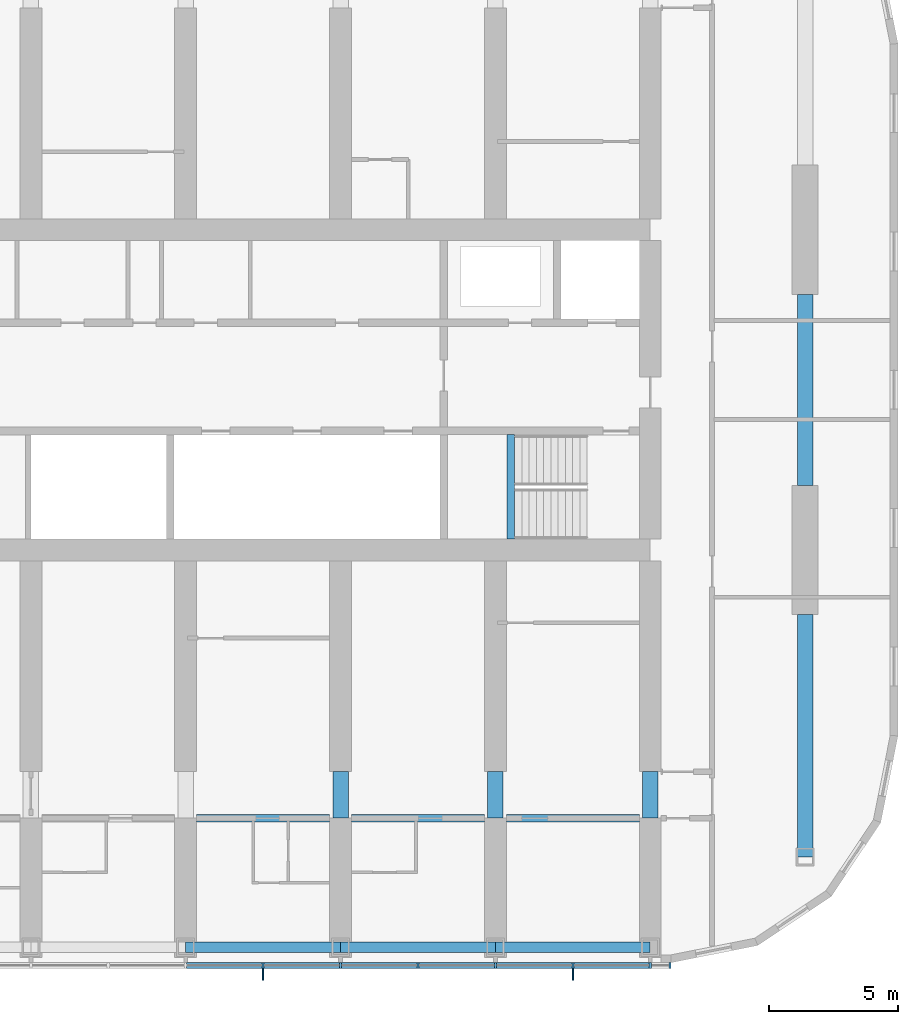
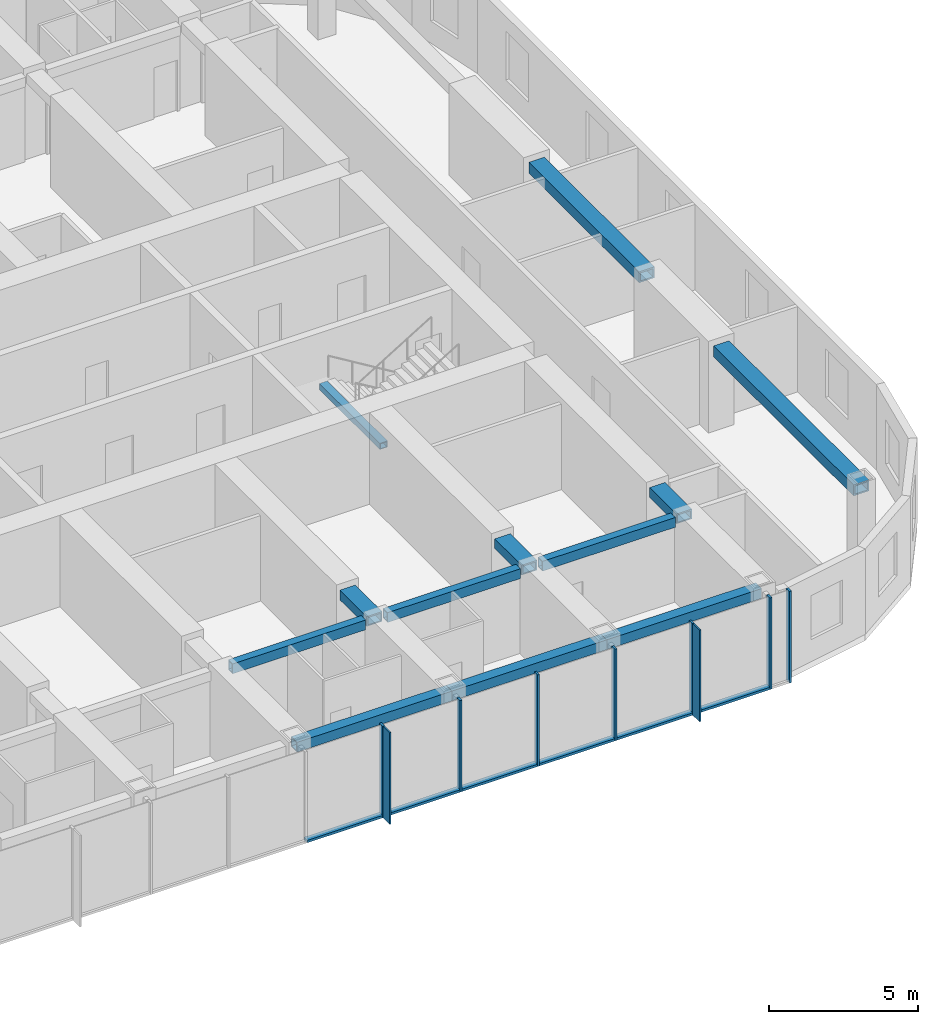
# One storey, part 3 of 22: 15 members, 12 beams, 1 element without a shape of its own.
"""IFC4 building model written with IfcOpenShell, lengths in metres."""

import ifcopenshell
import ifcopenshell.guid

model = None  # the IFC model being written
_history = None  # IfcOwnerHistory: only IFC2X3 demands one
_inside = {}  # id of a spatial element -> (the spatial element, [elements in it])
_under = {}  # id of a project, library or spatial element -> (it, [spatial elements below it])
_declared = {}  # id of a project -> (the project, [libraries it declares])
_typed = {}  # id of a type object -> (the type object, [elements of that type])
_made_of = {}  # id of a material, layer set ... -> (it, [elements and type objects made of it])


def new_model(schema):
    """Start an empty IFC model of exactly this schema.

    Asked for "IFC4X3", IfcOpenShell would pick the latest addendum, in which some entities
    have other attributes; the version numbers below select the first issue.
    IFC2X3 requires an IfcOwnerHistory on every rooted entity: one is made here for all.
    """
    global model, _history
    if schema == "IFC4X3":
        model = ifcopenshell.file(schema_version=(4, 3, 0, 0))
    else:
        model = ifcopenshell.file(schema=schema)
    _inside.clear()
    _under.clear()
    _declared.clear()
    _typed.clear()
    _made_of.clear()
    _history = None
    if model.schema == "IFC2X3":
        org = make("IfcOrganization", Name="unknown")
        user = make(
            "IfcPersonAndOrganization",
            ThePerson=make("IfcPerson", FamilyName="unknown"),
            TheOrganization=org,
        )
        app = make(
            "IfcApplication",
            ApplicationDeveloper=org,
            Version="unknown",
            ApplicationFullName="unknown",
            ApplicationIdentifier="unknown",
        )
        _history = make(
            "IfcOwnerHistory",
            OwningUser=user,
            OwningApplication=app,
            ChangeAction="ADDED",
            CreationDate=0,
        )
    return model


def make(cls, **values):
    """One entity of the class cls with the attributes given. An attribute that is None is left unset."""
    return model.create_entity(
        cls, **{name: value for name, value in values.items() if value is not None}
    )


def rooted(cls, **values):
    """An entity with a GlobalId (a new one), such as an element, a storey or a relation."""
    return make(cls, GlobalId=ifcopenshell.guid.new(), OwnerHistory=_history, **values)


def si_unit(unit_type, name, prefix=None):
    """IfcSIUnit, for example si_unit("LENGTHUNIT", "METRE", prefix="MILLI")."""
    return make("IfcSIUnit", UnitType=unit_type, Prefix=prefix, Name=name)


def assignment(units):
    """IfcUnitAssignment: the units of a project."""
    return None if units is None else make("IfcUnitAssignment", Units=units)


def point(xyz):
    """IfcCartesianPoint."""
    return None if xyz is None else make("IfcCartesianPoint", Coordinates=xyz)


def direction(xyz):
    """IfcDirection."""
    return None if xyz is None else make("IfcDirection", DirectionRatios=xyz)


def frame(location, z_axis=None, x_axis=None):
    """IfcAxis2Placement3D, a coordinate frame: its origin and axes. An axis left out is left unset."""
    return make(
        "IfcAxis2Placement3D",
        Location=point(location),
        Axis=direction(z_axis),
        RefDirection=direction(x_axis),
    )


def frame_2d(location, x_axis=None):
    """IfcAxis2Placement2D, a coordinate frame in the plane: its origin and x axis."""
    return make(
        "IfcAxis2Placement2D", Location=point(location), RefDirection=direction(x_axis)
    )


def origin():
    """The frame at (0, 0, 0) with its axes left unset."""
    return frame((0.0, 0.0, 0.0))


def origin_2d():
    """The frame at (0, 0) in the plane with its x axis left unset."""
    return frame_2d((0.0, 0.0))


def place(relative_to, where):
    """IfcLocalPlacement: puts the frame where relative to a parent placement (None: the world)."""
    return make(
        "IfcLocalPlacement", PlacementRelTo=relative_to, RelativePlacement=where
    )


def context(
    kind, dimensions, precision=None, world=None, true_north=None, identifier=None
):
    """IfcGeometricRepresentationContext, for example the 3D "Model" context."""
    return make(
        "IfcGeometricRepresentationContext",
        ContextIdentifier=identifier,
        ContextType=kind,
        CoordinateSpaceDimension=dimensions,
        Precision=precision,
        WorldCoordinateSystem=world,
        TrueNorth=true_north,
    )


def subcontext(parent, identifier, kind, view, scale=None):
    """IfcGeometricRepresentationSubContext, for example "Body" below "Model"."""
    return make(
        "IfcGeometricRepresentationSubContext",
        ContextIdentifier=identifier,
        ContextType=kind,
        ParentContext=parent,
        TargetScale=scale,
        TargetView=view,
    )


def project(units=None, contexts=None):
    """IfcProject with its units and contexts."""
    return rooted(
        "IfcProject",
        Name="project",
        RepresentationContexts=contexts,
        UnitsInContext=assignment(units),
    )


def spatial(cls, under=None, at=None, **own):
    """A site, building, storey or space (cls), placed at a placement, below another one or the project."""
    s = rooted(cls, ObjectPlacement=at, **own)
    if under is not None:
        _under.setdefault(under.id(), (under, []))[1].append(s)
    return s


def profile(cls, at=None, kind="AREA", **sizes):
    """A parametric profile (cls). Its sizes go by their IFC names, for example OverallWidth=200.0."""
    return make(cls, ProfileType=kind, Position=at, **sizes)


def rectangle(**sizes):
    """IfcRectangleProfileDef."""
    return profile("IfcRectangleProfileDef", **sizes)


def hollow_rectangle(**sizes):
    """IfcRectangleHollowProfileDef."""
    return profile("IfcRectangleHollowProfileDef", **sizes)


def extrude(swept, where, along, depth):
    """IfcExtrudedAreaSolid: the profile swept, set in the frame where, extruded along a direction by depth."""
    return make(
        "IfcExtrudedAreaSolid",
        SweptArea=swept,
        Position=where,
        ExtrudedDirection=direction(along),
        Depth=depth,
    )


def shape(context_of_items, identifier, shape_type, items):
    """IfcShapeRepresentation: the items that make up one representation, for example the "Body"."""
    return make(
        "IfcShapeRepresentation",
        ContextOfItems=context_of_items,
        RepresentationIdentifier=identifier,
        RepresentationType=shape_type,
        Items=items,
    )


def material(Name=None, Category=None):
    """IfcMaterial."""
    return make("IfcMaterial", Name=Name, Category=Category)


def material_profile(
    of_material, cross_section, Name=None, Category=None, Priority=None
):
    """IfcMaterialProfile: a cross section and its material."""
    return make(
        "IfcMaterialProfile",
        Name=Name,
        Material=of_material,
        Profile=cross_section,
        Priority=Priority,
        Category=Category,
    )


def profile_set(profiles, Name=None, composite=None):
    """IfcMaterialProfileSet."""
    return make(
        "IfcMaterialProfileSet",
        Name=Name,
        MaterialProfiles=profiles,
        CompositeProfile=composite,
    )


def made_of(thing, what):
    """Note that an element or type object is made of a material, layer set ...; save() writes the relation."""
    if what is not None:
        _made_of.setdefault(what.id(), (what, []))[1].append(thing)
    return thing


def type_object(cls, material=None, **own):
    """A type object (cls), such as IfcWallType, which elements share."""
    return made_of(rooted(cls, **own), material)


def element(
    cls,
    number,
    at=None,
    inside=None,
    cuts=None,
    type_object=None,
    material=None,
    context=None,
    identifier="Body",
    shape_type=None,
    held_by="IfcProductDefinitionShape",
    body=None,
    shapes=None,
    **own,
):
    """One element of the class cls, such as IfcWall. Its Tag is "e" and its number.

    at: its placement. inside: the storey or other place that contains it. cuts: it is an
    opening in that element (IfcRelVoidsElement). A single representation is given by context,
    identifier, shape_type and body (its items); several are given by shapes. held_by: the class
    of the entity that holds the representations. save() writes the other relations.
    """
    e = rooted(cls, Tag="e%d" % number, ObjectPlacement=at, **own)
    if body is not None:
        shapes = [shape(context, identifier, shape_type, body)]
    if shapes is not None:
        e.Representation = make(held_by, Representations=shapes)
    if inside is not None:
        _inside.setdefault(inside.id(), (inside, []))[1].append(e)
    if cuts is not None:
        rooted(
            "IfcRelVoidsElement", RelatingBuildingElement=cuts, RelatedOpeningElement=e
        )
    if type_object is not None:
        _typed.setdefault(type_object.id(), (type_object, []))[1].append(e)
    return made_of(e, material)


def aggregate(whole, parts):
    """IfcRelAggregates: a whole, such as a stair, and the parts it consists of."""
    return rooted("IfcRelAggregates", RelatingObject=whole, RelatedObjects=parts)


def save(model, path):
    """Write the relations noted so far, then the file.

    IfcRelAggregates (storeys below a building ...), IfcRelContainedInSpatialStructure (elements
    in a storey), IfcRelDefinesByType, IfcRelAssociatesMaterial and IfcRelDeclares: one each for
    every whole, place, type object, material and project.
    """
    for whole, parts in _under.values():
        aggregate(whole, parts)
    for where, things in _inside.values():
        rooted(
            "IfcRelContainedInSpatialStructure",
            RelatedElements=things,
            RelatingStructure=where,
        )
    for kind, things in _typed.values():
        rooted("IfcRelDefinesByType", RelatedObjects=things, RelatingType=kind)
    for what, things in _made_of.values():
        rooted("IfcRelAssociatesMaterial", RelatedObjects=things, RelatingMaterial=what)
    for by, libraries in _declared.values():
        rooted("IfcRelDeclares", RelatingContext=by, RelatedDefinitions=libraries)
    model.write(path)


model = new_model("IFC4")

# Units and contexts
model_context = context("Model", 3, precision=1e-05, world=origin(), true_north=direction((0.0, 1.0)))
body_context = subcontext(model_context, "Body", "Model", "MODEL_VIEW")
ifc_project = project(units=[si_unit("LENGTHUNIT", "METRE"), si_unit("AREAUNIT", "SQUARE_METRE"), si_unit("VOLUMEUNIT", "CUBIC_METRE"), si_unit("PLANEANGLEUNIT", "RADIAN"), si_unit("MASSUNIT", "GRAM", prefix="KILO")], contexts=[model_context])

# Site, building, storey
site_placement = place(None, origin())
site = spatial("IfcSite", under=ifc_project, at=site_placement, CompositionType="ELEMENT")
building_placement = place(site_placement, origin())
building = spatial("IfcBuilding", under=site, at=building_placement, Name="Orbita Commons", CompositionType="ELEMENT")
storey_placement = place(building_placement, frame((0.0, 0.0, 156.10009765625)))
storey = spatial("IfcBuildingStorey", under=building, at=storey_placement, Name="L38", CompositionType="ELEMENT", Elevation=156.10009765625)

# Curtain wall, members
ifc_material_1 = material(Name="Anodised aluminium frame, pale silver", Category="aluminium")
curtain_wall_type = type_object("IfcCurtainWallType", Name="Unitised curtain wall CW-U, full-height vision", PredefinedType="NOTDEFINED", material=ifc_material_1)
curtain_wall_placement = place(storey_placement, origin())
curtain_wall = element("IfcCurtainWall", 1, at=curtain_wall_placement, inside=storey, type_object=curtain_wall_type, Name="Curtain wall south L38", PredefinedType="NOTDEFINED")
ifc_material_2 = material(Name="Anodised aluminium, pale silver", Category="aluminium")
ifc_material_profile_1 = material_profile(ifc_material_2, rectangle(XDim=0.080078125, YDim=0.219970703125, at=origin_2d()), Name="AL 80x220")
ifc_profile_set_1 = profile_set([ifc_material_profile_1], Name="Anodised aluminium, pale silver")
member_type_1 = type_object("IfcMemberType", Name="Curtain wall mullion 80x220", PredefinedType="MULLION", material=ifc_profile_set_1)
member_1_placement = place(storey_placement, frame((51.0, 9.68994140625, -0.25), z_axis=(0.0, 0.0, 1.0), x_axis=(1.0, 0.0, 0.0)))
member_1 = element("IfcMember", 2, at=member_1_placement, type_object=member_type_1, Name="Mullion 13 CW-L38-S", PredefinedType="MULLION", context=body_context, shape_type="SweptSolid", body=[
    extrude(rectangle(XDim=0.080078125, YDim=0.219970703125, at=origin_2d()), origin(), (0.0, 0.0, 1.0), 3.75),
])
member_2_placement = place(storey_placement, frame((54.0, 9.68994140625, -0.25), z_axis=(0.0, 0.0, 1.0), x_axis=(1.0, 0.0, 0.0)))
member_2 = element("IfcMember", 3, at=member_2_placement, type_object=member_type_1, Name="Mullion 14 CW-L38-S", PredefinedType="MULLION", context=body_context, shape_type="SweptSolid", body=[
    extrude(rectangle(XDim=0.080078125, YDim=0.219970703125, at=origin_2d()), origin(), (0.0, 0.0, 1.0), 3.75),
])
member_3_placement = place(storey_placement, frame((57.0, 9.68994140625, -0.25), z_axis=(0.0, 0.0, 1.0), x_axis=(1.0, 0.0, 0.0)))
member_3 = element("IfcMember", 4, at=member_3_placement, type_object=member_type_1, Name="Mullion 15 CW-L38-S", PredefinedType="MULLION", context=body_context, shape_type="SweptSolid", body=[
    extrude(rectangle(XDim=0.080078125, YDim=0.219970703125, at=origin_2d()), origin(), (0.0, 0.0, 1.0), 3.75),
])
member_4_placement = place(storey_placement, frame((60.0, 9.68994140625, -0.25), z_axis=(0.0, 0.0, 1.0), x_axis=(1.0, 0.0, 0.0)))
member_4 = element("IfcMember", 5, at=member_4_placement, type_object=member_type_1, Name="Mullion 16 CW-L38-S", PredefinedType="MULLION", context=body_context, shape_type="SweptSolid", body=[
    extrude(rectangle(XDim=0.080078125, YDim=0.219970703125, at=origin_2d()), origin(), (0.0, 0.0, 1.0), 3.75),
])
member_5_placement = place(storey_placement, frame((63.0, 9.68994140625, -0.25), z_axis=(0.0, 0.0, 1.0), x_axis=(1.0, 0.0, 0.0)))
member_5 = element("IfcMember", 6, at=member_5_placement, type_object=member_type_1, Name="Mullion 17 CW-L38-S", PredefinedType="MULLION", context=body_context, shape_type="SweptSolid", body=[
    extrude(rectangle(XDim=0.080078125, YDim=0.219970703125, at=origin_2d()), origin(), (0.0, 0.0, 1.0), 3.75),
])
member_6_placement = place(storey_placement, frame((66.0, 9.68994140625, -0.25), z_axis=(0.0, 0.0, 1.0), x_axis=(1.0, 0.0, 0.0)))
member_6 = element("IfcMember", 7, at=member_6_placement, type_object=member_type_1, Name="Mullion 18 CW-L38-S", PredefinedType="MULLION", context=body_context, shape_type="SweptSolid", body=[
    extrude(rectangle(XDim=0.080078125, YDim=0.219970703125, at=origin_2d()), origin(), (0.0, 0.0, 1.0), 3.75),
])
member_7_placement = place(storey_placement, frame((66.760009765625, 9.68994140625, -0.25), z_axis=(0.0, 0.0, 1.0), x_axis=(1.0, 0.0, 0.0)))
member_7 = element("IfcMember", 8, at=member_7_placement, type_object=member_type_1, Name="Mullion 19 CW-L38-S", PredefinedType="MULLION", context=body_context, shape_type="SweptSolid", body=[
    extrude(rectangle(XDim=0.080078125, YDim=0.219970703125, at=origin_2d()), origin(), (0.0, 0.0, 1.0), 3.75),
])
ifc_material_3 = material(Name="Anodised aluminium, pale silver", Category="aluminium")
ifc_material_profile_2 = material_profile(ifc_material_3, rectangle(XDim=0.219970703125, YDim=0.10009765625, at=origin_2d()), Name="AL 220x100")
ifc_profile_set_2 = profile_set([ifc_material_profile_2], Name="Anodised aluminium, pale silver")
member_type_2 = type_object("IfcMemberType", Name="Curtain wall stack transom 220x100", PredefinedType="USERDEFINED", material=ifc_profile_set_2)
member_8_placement = place(storey_placement, frame((48.0400390625, 9.68994140625, -0.2001953125), z_axis=(1.0, 0.0, 0.0), x_axis=(0.0, 1.0, 0.0)))
member_8 = element("IfcMember", 9, at=member_8_placement, type_object=member_type_2, Name="Transom 12.1 CW-L38-S", ObjectType="TRANSOM", PredefinedType="USERDEFINED", context=body_context, shape_type="SweptSolid", body=[
    extrude(rectangle(XDim=0.219970703125, YDim=0.10009765625, at=origin_2d()), origin(), (0.0, 0.0, 1.0), 2.919921875),
])
member_9_placement = place(storey_placement, frame((51.0400390625, 9.68994140625, -0.2001953125), z_axis=(1.0, 0.0, 0.0), x_axis=(0.0, 1.0, 0.0)))
member_9 = element("IfcMember", 10, at=member_9_placement, type_object=member_type_2, Name="Transom 13.1 CW-L38-S", ObjectType="TRANSOM", PredefinedType="USERDEFINED", context=body_context, shape_type="SweptSolid", body=[
    extrude(rectangle(XDim=0.219970703125, YDim=0.10009765625, at=origin_2d()), origin(), (0.0, 0.0, 1.0), 2.919921875),
])
member_10_placement = place(storey_placement, frame((54.0400390625, 9.68994140625, -0.2001953125), z_axis=(1.0, 0.0, 0.0), x_axis=(0.0, 1.0, 0.0)))
member_10 = element("IfcMember", 11, at=member_10_placement, type_object=member_type_2, Name="Transom 14.1 CW-L38-S", ObjectType="TRANSOM", PredefinedType="USERDEFINED", context=body_context, shape_type="SweptSolid", body=[
    extrude(rectangle(XDim=0.219970703125, YDim=0.10009765625, at=origin_2d()), origin(), (0.0, 0.0, 1.0), 2.919921875),
])
member_11_placement = place(storey_placement, frame((57.0400390625, 9.68994140625, -0.2001953125), z_axis=(1.0, 0.0, 0.0), x_axis=(0.0, 1.0, 0.0)))
member_11 = element("IfcMember", 12, at=member_11_placement, type_object=member_type_2, Name="Transom 15.1 CW-L38-S", ObjectType="TRANSOM", PredefinedType="USERDEFINED", context=body_context, shape_type="SweptSolid", body=[
    extrude(rectangle(XDim=0.219970703125, YDim=0.10009765625, at=origin_2d()), origin(), (0.0, 0.0, 1.0), 2.919921875),
])
member_12_placement = place(storey_placement, frame((60.0400390625, 9.68994140625, -0.2001953125), z_axis=(1.0, 0.0, 0.0), x_axis=(0.0, 1.0, 0.0)))
member_12 = element("IfcMember", 13, at=member_12_placement, type_object=member_type_2, Name="Transom 16.1 CW-L38-S", ObjectType="TRANSOM", PredefinedType="USERDEFINED", context=body_context, shape_type="SweptSolid", body=[
    extrude(rectangle(XDim=0.219970703125, YDim=0.10009765625, at=origin_2d()), origin(), (0.0, 0.0, 1.0), 2.919921875),
])
member_13_placement = place(storey_placement, frame((63.0400390625, 9.68994140625, -0.2001953125), z_axis=(1.0, 0.0, 0.0), x_axis=(0.0, 1.0, 0.0)))
member_13 = element("IfcMember", 14, at=member_13_placement, type_object=member_type_2, Name="Transom 17.1 CW-L38-S", ObjectType="TRANSOM", PredefinedType="USERDEFINED", context=body_context, shape_type="SweptSolid", body=[
    extrude(rectangle(XDim=0.219970703125, YDim=0.10009765625, at=origin_2d()), origin(), (0.0, 0.0, 1.0), 2.919921875),
])

# Beams
ifc_material_4 = material(Name="Steel ASTM A572 Gr 50 welded plate", Category="steel")
ifc_material_profile_3 = material_profile(ifc_material_4, hollow_rectangle(XDim=0.300048828125, YDim=0.25, WallThickness=0.02490234375, at=origin_2d()), Name="BOX 250x300x25")
ifc_profile_set_3 = profile_set([ifc_material_profile_3], Name="Steel ASTM A572 Gr 50 welded plate")
beam_type_1 = type_object("IfcBeamType", Name="Stair landing beam steel BOX 250x300x25", PredefinedType="BEAM", material=ifc_profile_set_3)
beam_1_placement = place(storey_placement, frame((60.60009765625, 26.2099609375, 1.5498046875), z_axis=(0.0, 1.0, 0.0), x_axis=(-1.0, 0.0, 0.0)))
element("IfcBeam", 15, at=beam_1_placement, inside=storey, type_object=beam_type_1, Name="Stair S2 landing beam L38 1", PredefinedType="BEAM", context=body_context, shape_type="SweptSolid", body=[
    extrude(hollow_rectangle(XDim=0.300048828125, YDim=0.25, WallThickness=0.02490234375, at=origin_2d()), origin(), (0.0, 0.0, 1.0), 4.054931640625),
])
ifc_material_5 = material(Name="Steel ASTM A572 Gr 50 welded plate", Category="steel")
ifc_material_profile_4 = material_profile(ifc_material_5, hollow_rectangle(XDim=0.300048828125, YDim=0.39990234375, WallThickness=0.0400390625, at=origin_2d()), Name="BOX 400x300x40")
ifc_profile_set_4 = profile_set([ifc_material_profile_4], Name="Steel ASTM A572 Gr 50 welded plate")
beam_type_2 = type_object("IfcBeamType", Name="Steel corridor link BOX 400x300x40", PredefinedType="BEAM", material=ifc_profile_set_4)
for number, where, z_axis, x_axis, name in (
    (16, (48.425048828125, 15.39990234375, 3.2998046875), (1.0, 0.0, 0.0), (0.0, 1.0, 0.0), "Corridor beam SA 9-10 L38"),
    (17, (54.425048828125, 15.39990234375, 3.2998046875), (1.0, 0.0, 0.0), (0.0, 1.0, 0.0), "Corridor beam SA 10-11 L38"),
    (18, (60.425048828125, 15.39990234375, 3.2998046875), (1.0, 0.0, 0.0), (0.0, 1.0, 0.0), "Corridor beam SA 11-12 L38"),
):
    element("IfcBeam", number, at=place(storey_placement, frame(where, z_axis=z_axis, x_axis=x_axis)), inside=storey, type_object=beam_type_2, Name=name, PredefinedType="BEAM", context=body_context, shape_type="SweptSolid", body=[
        extrude(hollow_rectangle(XDim=0.300048828125, YDim=0.39990234375, WallThickness=0.0400390625, at=origin_2d()), origin(), (0.0, 0.0, 1.0), 5.14990234375),
    ])
ifc_material_6 = material(Name="Steel ASTM A572 Gr 50 welded plate", Category="steel")
ifc_material_profile_5 = material_profile(ifc_material_6, hollow_rectangle(XDim=0.60009765625, YDim=0.39990234375, WallThickness=0.050048828125, at=origin_2d()), Name="BOX 400x600x50")
ifc_profile_set_5 = profile_set([ifc_material_profile_5], Name="Steel ASTM A572 Gr 50 welded plate")
beam_type_3 = type_object("IfcBeamType", Name="Steel coupling link BOX 400x600x50", PredefinedType="LINTEL", material=ifc_profile_set_5)
for number, where, z_axis, x_axis, name in (
    (19, (54.0, 15.39990234375, 3.2998046875), (0.0, 1.0, 0.0), (-1.0, 0.0, 0.0), "Coupling beam 10 south L38"),
    (20, (60.0, 15.39990234375, 3.2998046875), (0.0, 1.0, 0.0), (-1.0, 0.0, 0.0), "Coupling beam 11 south L38"),
    (21, (66.0, 15.39990234375, 3.2998046875), (0.0, 1.0, 0.0), (-1.0, 0.0, 0.0), "Coupling beam 12 south L38"),
):
    element("IfcBeam", number, at=place(storey_placement, frame(where, z_axis=z_axis, x_axis=x_axis)), inside=storey, type_object=beam_type_3, Name=name, PredefinedType="LINTEL", context=body_context, shape_type="SweptSolid", body=[
        extrude(hollow_rectangle(XDim=0.60009765625, YDim=0.39990234375, WallThickness=0.050048828125, at=origin_2d()), origin(), (0.0, 0.0, 1.0), 1.800048828125),
    ])
ifc_material_7 = material(Name="Steel ASTM A572 Gr 50 welded plate", Category="steel")
ifc_material_profile_6 = material_profile(ifc_material_7, hollow_rectangle(XDim=0.60009765625, YDim=0.449951171875, WallThickness=0.06005859375, at=origin_2d()), Name="BOX 450x600x60")
ifc_profile_set_6 = profile_set([ifc_material_profile_6], Name="Steel ASTM A572 Gr 50 welded plate")
beam_type_4 = type_object("IfcBeamType", Name="Steel end frame link BOX 450x600x60", PredefinedType="BEAM", material=ifc_profile_set_6)
beam_2_placement = place(storey_placement, frame((72.0, 13.89990234375, 3.27490234375), z_axis=(0.0, 1.0, 0.0), x_axis=(-1.0, 0.0, 0.0)))
element("IfcBeam", 22, at=beam_2_placement, inside=storey, type_object=beam_type_4, Name="End frame beam 13 B-C L38", PredefinedType="BEAM", context=body_context, shape_type="SweptSolid", body=[
    extrude(hollow_rectangle(XDim=0.60009765625, YDim=0.449951171875, WallThickness=0.06005859375, at=origin_2d()), origin(), (0.0, 0.0, 1.0), 9.400146484375),
])
beam_3_placement = place(storey_placement, frame((72.0, 28.300048828125, 3.27490234375), z_axis=(0.0, 1.0, 0.0), x_axis=(-1.0, 0.0, 0.0)))
element("IfcBeam", 23, at=beam_3_placement, inside=storey, type_object=beam_type_4, Name="End frame beam 13 C-D L38", PredefinedType="BEAM", context=body_context, shape_type="SweptSolid", body=[
    extrude(hollow_rectangle(XDim=0.60009765625, YDim=0.449951171875, WallThickness=0.06005859375, at=origin_2d()), origin(), (0.0, 0.0, 1.0), 7.39990234375),
])
ifc_material_8 = material(Name="Steel ASTM A572 Gr 50 welded plate", Category="steel")
ifc_material_profile_7 = material_profile(ifc_material_8, hollow_rectangle(XDim=0.39990234375, YDim=0.39990234375, WallThickness=0.0400390625, at=origin_2d()), Name="BOX 400x400x40")
ifc_profile_set_7 = profile_set([ifc_material_profile_7], Name="Steel ASTM A572 Gr 50 welded plate")
beam_type_5 = type_object("IfcBeamType", Name="Steel spandrel BOX 400x400x40", PredefinedType="SPANDREL", material=ifc_profile_set_7)
for number, where, z_axis, x_axis, name in (
    (24, (48.0, 10.39990234375, 3.2998046875), (1.0, 0.0, 0.0), (0.0, 1.0, 0.0), "Spandrel beam B 9-10 L38"),
    (25, (54.0, 10.39990234375, 3.2998046875), (1.0, 0.0, 0.0), (0.0, 1.0, 0.0), "Spandrel beam B 10-11 L38"),
    (26, (60.0, 10.39990234375, 3.2998046875), (1.0, 0.0, 0.0), (0.0, 1.0, 0.0), "Spandrel beam B 11-12 L38"),
):
    element("IfcBeam", number, at=place(storey_placement, frame(where, z_axis=z_axis, x_axis=x_axis)), inside=storey, type_object=beam_type_5, Name=name, PredefinedType="SPANDREL", context=body_context, shape_type="SweptSolid", body=[
        extrude(hollow_rectangle(XDim=0.39990234375, YDim=0.39990234375, WallThickness=0.0400390625, at=origin_2d()), origin(), (0.0, 0.0, 1.0), 6.0),
    ])

# Member
ifc_material_9 = material(Name="Anodised aluminium, pale silver", Category="aluminium")
ifc_material_profile_8 = material_profile(ifc_material_9, rectangle(XDim=0.06005859375, YDim=0.449951171875, at=origin_2d()), Name="FIN 60x450")
ifc_profile_set_8 = profile_set([ifc_material_profile_8], Name="Anodised aluminium, pale silver")
member_type_3 = type_object("IfcMemberType", Name="Vertical fin 60x450 pale aluminium", PredefinedType="USERDEFINED", material=ifc_profile_set_8)
member_14_placement = place(storey_placement, frame((51.0, 9.35498046875, -0.25), z_axis=(0.0, 0.0, 1.0), x_axis=(1.0, 0.0, 0.0)))
member_14 = element("IfcMember", 27, at=member_14_placement, type_object=member_type_3, Name="Fin 13 CW-L38-S", ObjectType="FIN", PredefinedType="USERDEFINED", context=body_context, shape_type="SweptSolid", body=[
    extrude(rectangle(XDim=0.06005859375, YDim=0.449951171875, at=origin_2d()), origin(), (0.0, 0.0, 1.0), 3.75),
])

member_15_placement = place(storey_placement, frame((63.0, 9.35498046875, -0.25), z_axis=(0.0, 0.0, 1.0), x_axis=(1.0, 0.0, 0.0)))
member_15 = element("IfcMember", 28, at=member_15_placement, type_object=member_type_3, Name="Fin 17 CW-L38-S", ObjectType="FIN", PredefinedType="USERDEFINED", context=body_context, shape_type="SweptSolid", body=[
    extrude(rectangle(XDim=0.06005859375, YDim=0.449951171875, at=origin_2d()), origin(), (0.0, 0.0, 1.0), 3.75),
])

aggregate(curtain_wall, [member_1, member_14, member_2, member_3, member_4, member_5, member_15, member_6, member_7, member_8, member_9, member_10, member_11, member_12, member_13])

save(model, "model.ifc")
